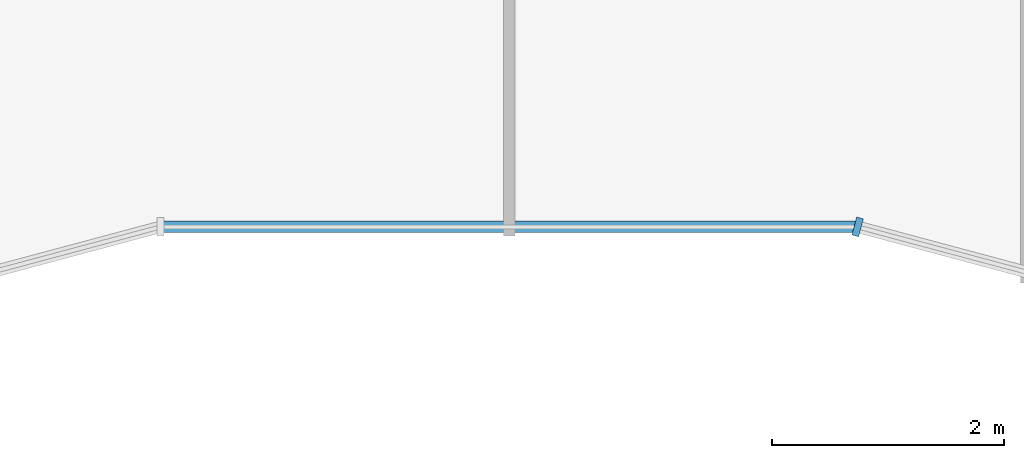
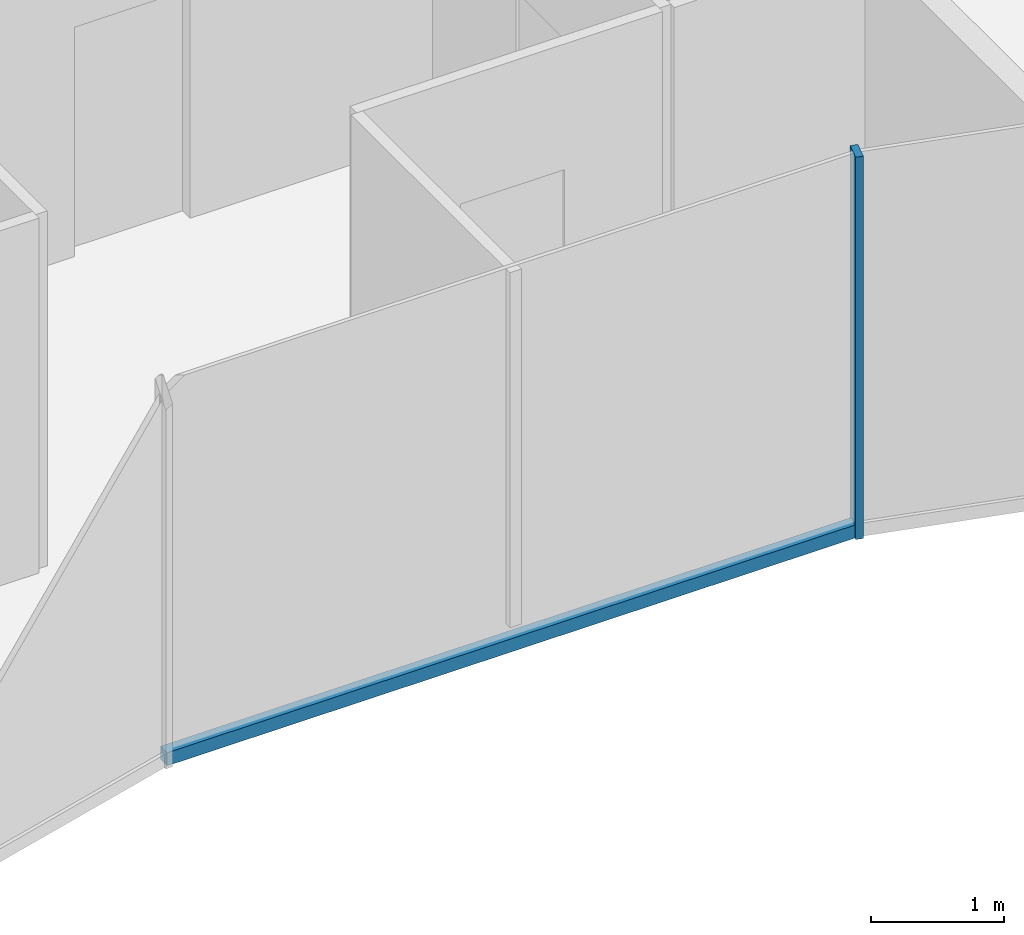
# One storey, part 3 of 16: 2 members, 2 elements without a shape of their own.
"""IFC4 building model written with IfcOpenShell, lengths in metres."""

from ifc_helpers import new_model, si_unit, direction, frame, origin, origin_2d, place, context, subcontext, project, spatial, rectangle, extrude, material, layer, layer_set, material_profile, profile_set, type_object, element, aggregate, save


model = new_model("IFC4")

# Units and contexts
model_context = context("Model", 3, precision=1e-05, world=origin(), true_north=direction((0.0, 1.0)))
body_context = subcontext(model_context, "Body", "Model", "MODEL_VIEW")
ifc_project = project(units=[si_unit("LENGTHUNIT", "METRE"), si_unit("AREAUNIT", "SQUARE_METRE"), si_unit("VOLUMEUNIT", "CUBIC_METRE"), si_unit("PLANEANGLEUNIT", "RADIAN"), si_unit("MASSUNIT", "GRAM", prefix="KILO")], contexts=[model_context])

# Site, building, storey
site_placement = place(None, origin())
site = spatial("IfcSite", under=ifc_project, at=site_placement, CompositionType="ELEMENT")
building_placement = place(site_placement, origin())
building = spatial("IfcBuilding", under=site, at=building_placement, Name="Plateau Cross Towers", CompositionType="ELEMENT")
storey_placement = place(building_placement, frame((0.0, 0.0, 218.89990234375)))
storey = spatial("IfcBuildingStorey", under=building, at=storey_placement, Name="L57", CompositionType="ELEMENT", Elevation=218.89990234375)

# Curtain wall, member
ifc_material_1 = material(Name="Dark low-iron glass", Category="glass")
ifc_layer = layer(ifc_material_1, 0.260009765625)
ifc_layer_set = layer_set([ifc_layer], Name="Dark low-iron glass")
curtain_wall_type = type_object("IfcCurtainWallType", Name="Curtain wall fluted unitised CW-A", PredefinedType="NOTDEFINED", material=ifc_layer_set)
curtain_wall_1_placement = place(storey_placement, origin())
curtain_wall_1 = element("IfcCurtainWall", 1, at=curtain_wall_1_placement, inside=storey, type_object=curtain_wall_type, Name="ENV/A/L57/A300_16", PredefinedType="NOTDEFINED")
ifc_material_2 = material(Name="Black anodised aluminium", Category="aluminium")
ifc_material_profile_1 = material_profile(ifc_material_2, rectangle(XDim=0.06005859375, YDim=0.159912109375, at=origin_2d()), Name="MULLION 60x160")
ifc_profile_set_1 = profile_set([ifc_material_profile_1], Name="Black anodised aluminium")
member_type_1 = type_object("IfcMemberType", Name="Mullion 60x160 fluted unitised", PredefinedType="MULLION", material=ifc_profile_set_1)
member_1_placement = place(storey_placement, frame((30.0, 1.60693359375, -0.25), z_axis=(0.0, 0.0, 1.0), x_axis=(0.965957983404, -0.258699003279, 0.0)))
member_1 = element("IfcMember", 2, at=member_1_placement, type_object=member_type_1, Name="CW-A mullion 1", PredefinedType="MULLION", context=body_context, shape_type="SweptSolid", body=[
    extrude(rectangle(XDim=0.06005859375, YDim=0.159912109375, at=origin_2d()), origin(), (0.0, 0.0, 1.0), 3.5),
])
aggregate(curtain_wall_1, [member_1])

curtain_wall_2_placement = place(storey_placement, origin())
curtain_wall_2 = element("IfcCurtainWall", 3, at=curtain_wall_2_placement, inside=storey, type_object=curtain_wall_type, Name="ENV/A/L57/A240_16", PredefinedType="NOTDEFINED")
ifc_material_profile_2 = material_profile(ifc_material_2, rectangle(XDim=0.10009765625, YDim=0.1201171875, at=origin_2d()), Name="TRANSOM 100x120")
ifc_profile_set_2 = profile_set([ifc_material_profile_2], Name="Black anodised aluminium")
member_type_2 = type_object("IfcMemberType", Name="Transom 100x120 fluted unitised", PredefinedType="USERDEFINED", material=ifc_profile_set_2)
member_2_placement = place(storey_placement, frame((24.0, 1.60693359375, -0.18994140625), z_axis=(1.0, 0.0, 0.0), x_axis=(0.0, 1.0, 0.0)))
member_2 = element("IfcMember", 4, at=member_2_placement, type_object=member_type_2, Name="CW-A transom", ObjectType="TRANSOM", PredefinedType="USERDEFINED", context=body_context, shape_type="SweptSolid", body=[
    extrude(rectangle(XDim=0.10009765625, YDim=0.1201171875, at=origin_2d()), origin(), (0.0, 0.0, 1.0), 6.0),
])
aggregate(curtain_wall_2, [member_2])

save(model, "model.ifc")
